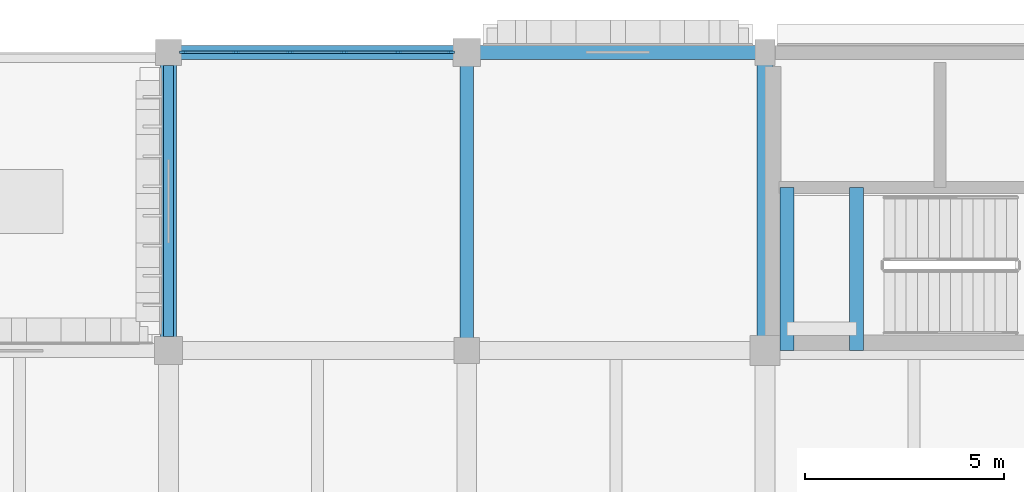
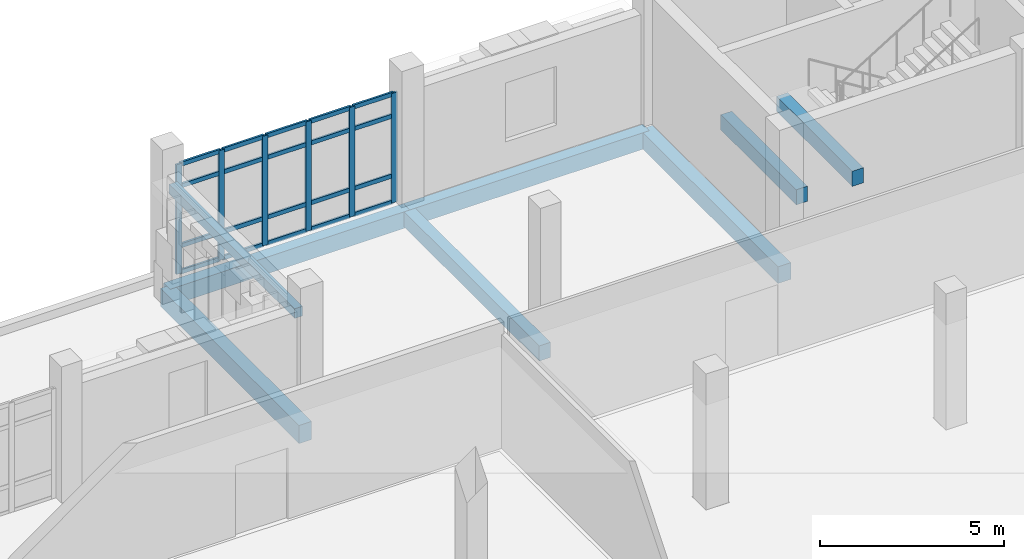
# One storey, part 50 of 128: 26 members, 8 beams, 1 element without a shape of its own.
"""IFC4 building model written with IfcOpenShell, lengths in metres."""

from ifc_helpers import new_model, si_unit, direction, frame, origin, origin_2d, place, context, subcontext, project, spatial, rectangle, extrude, material, layer, layer_set, material_profile, profile_set, type_object, element, aggregate, save


model = new_model("IFC4")

# Units and contexts
model_context = context("Model", 3, precision=1e-05, world=origin(), true_north=direction((0.0, 1.0)))
body_context = subcontext(model_context, "Body", "Model", "MODEL_VIEW")
ifc_project = project(units=[si_unit("LENGTHUNIT", "METRE"), si_unit("AREAUNIT", "SQUARE_METRE"), si_unit("VOLUMEUNIT", "CUBIC_METRE"), si_unit("PLANEANGLEUNIT", "RADIAN"), si_unit("MASSUNIT", "GRAM", prefix="KILO")], contexts=[model_context])

# Site, building, storey
site_placement = place(None, origin())
site = spatial("IfcSite", under=ifc_project, at=site_placement, CompositionType="ELEMENT")
building_placement = place(site_placement, origin())
building = spatial("IfcBuilding", under=site, at=building_placement, Name="Dalvernix Boulevard General Hospital", CompositionType="ELEMENT")
storey_placement = place(building_placement, frame((0.0, 0.0, 4.800048828125)))
storey = spatial("IfcBuildingStorey", under=building, at=storey_placement, Name="L01", CompositionType="ELEMENT", Elevation=4.800048828125)

# Beams
ifc_material_1 = material(Name="Concrete C35/45", Category="concrete")
ifc_material_profile_1 = material_profile(ifc_material_1, rectangle(XDim=0.39990234375, YDim=0.550048828125, at=origin_2d()), Name="RCB 400x550")
ifc_profile_set_1 = profile_set([ifc_material_profile_1], Name="Concrete C35/45")
beam_type_1 = type_object("IfcBeamType", Name="BM-B-06-I", PredefinedType="BEAM", material=ifc_profile_set_1)
beam_1_placement = place(storey_placement, frame((60.0, 109.5, -0.574951171875), z_axis=(0.0, 1.0, 0.0), x_axis=(-1.0, 0.0, 0.0)))
element("IfcBeam", 1, at=beam_1_placement, inside=storey, type_object=beam_type_1, Name="L01 N-S girder 9:Q-R", PredefinedType="BEAM", context=body_context, shape_type="SweptSolid", body=[
    extrude(rectangle(XDim=0.39990234375, YDim=0.550048828125, at=origin_2d()), origin(), (0.0, 0.0, 1.0), 7.5),
])
ifc_material_profile_2 = material_profile(ifc_material_1, rectangle(XDim=0.35009765625, YDim=0.5, at=origin_2d()), Name="RCB 350x500")
ifc_profile_set_2 = profile_set([ifc_material_profile_2], Name="Concrete C35/45")
beam_type_2 = type_object("IfcBeamType", Name="BM-B-08", PredefinedType="BEAM", material=ifc_profile_set_2)
for number, where, z_axis, x_axis, name in (
    (2, (60.550048828125, 109.5, 1.800048828125), (0.0, 1.0, 0.0), (-1.0, 0.0, 0.0), "L01 C3 stair half-landing beam 1"),
    (3, (62.300048828125, 109.5, 1.800048828125), (0.0, 1.0, 0.0), (-1.0, 0.0, 0.0), "L01 C3 stair half-landing beam 2"),
):
    element("IfcBeam", number, at=place(storey_placement, frame(where, z_axis=z_axis, x_axis=x_axis)), inside=storey, type_object=beam_type_2, Name=name, PredefinedType="BEAM", context=body_context, shape_type="SweptSolid", body=[
        extrude(rectangle(XDim=0.35009765625, YDim=0.5, at=origin_2d()), origin(), (0.0, 0.0, 1.0), 4.10009765625),
    ])
ifc_material_profile_3 = material_profile(ifc_material_1, rectangle(XDim=0.35009765625, YDim=0.5, at=origin_2d()), Name="RCB 350x500")
ifc_profile_set_3 = profile_set([ifc_material_profile_3], Name="Concrete C35/45")
beam_type_3 = type_object("IfcBeamType", Name="BM-B-08-I", PredefinedType="BEAM", material=ifc_profile_set_3)
beam_2_placement = place(storey_placement, frame((52.5, 109.5, -0.550048828125), z_axis=(0.0, 1.0, 0.0), x_axis=(-1.0, 0.0, 0.0)))
element("IfcBeam", 4, at=beam_2_placement, inside=storey, type_object=beam_type_3, Name="L01 N-S girder 8:Q-R", PredefinedType="BEAM", context=body_context, shape_type="SweptSolid", body=[
    extrude(rectangle(XDim=0.35009765625, YDim=0.5, at=origin_2d()), origin(), (0.0, 0.0, 1.0), 7.5),
])
ifc_material_2 = material(Name="Precast concrete C40/50", Category="concrete")
ifc_material_profile_4 = material_profile(ifc_material_2, rectangle(XDim=0.25, YDim=0.320068359375, at=origin_2d()), Name="RCL 250x320")
ifc_profile_set_4 = profile_set([ifc_material_profile_4], Name="Precast concrete C40/50")
beam_type_4 = type_object("IfcBeamType", Name="BM-LB-01", PredefinedType="LINTEL", material=ifc_profile_set_4)
beam_3_placement = place(storey_placement, frame((45.0, 109.860107421875, 3.159912109375), z_axis=(0.0, 1.0, 0.0), x_axis=(-1.0, 0.0, 0.0)))
element("IfcBeam", 5, at=beam_3_placement, inside=storey, type_object=beam_type_4, Name="L01 precast window lintel W 6-14", PredefinedType="LINTEL", context=body_context, shape_type="SweptSolid", body=[
    extrude(rectangle(XDim=0.25, YDim=0.320068359375, at=origin_2d()), origin(), (0.0, 0.0, 1.0), 6.804931640625),
])
ifc_material_profile_5 = material_profile(ifc_material_1, rectangle(XDim=0.35009765625, YDim=0.550048828125, at=origin_2d()), Name="RCB 350x550")
ifc_profile_set_5 = profile_set([ifc_material_profile_5], Name="Concrete C35/45")
beam_type_5 = type_object("IfcBeamType", Name="BM-SB-01-E", PredefinedType="SPANDREL", material=ifc_profile_set_5)
for number, where, z_axis, x_axis, name in (
    (6, (45.0, 117.0, -0.574951171875), (1.0, 0.0, 0.0), (0.0, 1.0, 0.0), "L01 E-W girder R:7-8"),
    (7, (52.5, 117.0, -0.574951171875), (1.0, 0.0, 0.0), (0.0, 1.0, 0.0), "L01 E-W girder R:8-9"),
):
    element("IfcBeam", number, at=place(storey_placement, frame(where, z_axis=z_axis, x_axis=x_axis)), inside=storey, type_object=beam_type_5, Name=name, PredefinedType="SPANDREL", context=body_context, shape_type="SweptSolid", body=[
        extrude(rectangle(XDim=0.35009765625, YDim=0.550048828125, at=origin_2d()), origin(), (0.0, 0.0, 1.0), 7.5),
    ])
ifc_material_profile_6 = material_profile(ifc_material_1, rectangle(XDim=0.39990234375, YDim=0.60009765625, at=origin_2d()), Name="RCB 400x600")
ifc_profile_set_6 = profile_set([ifc_material_profile_6], Name="Concrete C35/45")
beam_type_6 = type_object("IfcBeamType", Name="BM-SB-02-E", PredefinedType="SPANDREL", material=ifc_profile_set_6)
beam_4_placement = place(storey_placement, frame((45.0, 109.5, -0.60009765625), z_axis=(0.0, 1.0, 0.0), x_axis=(-1.0, 0.0, 0.0)))
element("IfcBeam", 8, at=beam_4_placement, inside=storey, type_object=beam_type_6, Name="L01 N-S girder 7:Q-R", PredefinedType="SPANDREL", context=body_context, shape_type="SweptSolid", body=[
    extrude(rectangle(XDim=0.39990234375, YDim=0.60009765625, at=origin_2d()), origin(), (0.0, 0.0, 1.0), 7.5),
])

# Curtain wall, members
ifc_material_3 = material(Name="Thermally broken aluminium and solar-control glass curtain wall", Category="aluminium")
ifc_layer = layer(ifc_material_3, 0.179931640625)
ifc_layer_set = layer_set([ifc_layer], Name="Thermally broken aluminium and solar-control glass curtain wall (CW-CW-B-68x36)")
curtain_wall_type = type_object("IfcCurtainWallType", Name="CW-CW-B-68x36", PredefinedType="USERDEFINED", material=ifc_layer_set)
curtain_wall_placement = place(storey_placement, origin())
curtain_wall = element("IfcCurtainWall", 9, at=curtain_wall_placement, inside=storey, type_object=curtain_wall_type, Name="L01 curtain wall CW-B-68x36 6-15", ObjectType="GLAZED FACADE", PredefinedType="USERDEFINED")
ifc_material_4 = material(Name="Aluminium EN AW-6060", Category="aluminium")
ifc_material_profile_7 = material_profile(ifc_material_4, rectangle(XDim=0.06494140625, YDim=0.179931640625, at=origin_2d()), Name="ALU MULL 65x180")
ifc_profile_set_7 = profile_set([ifc_material_profile_7], Name="Aluminium EN AW-6060")
member_type_1 = type_object("IfcMemberType", Name="MEM-CW-M2", PredefinedType="MULLION", material=ifc_profile_set_7)
member_1_placement = place(storey_placement, frame((45.367431640625, 117.0, 0.0), z_axis=(0.0, 0.0, 1.0), x_axis=(0.0, 1.0, 0.0)))
member_1 = element("IfcMember", 10, at=member_1_placement, type_object=member_type_1, Name="CW-B-68x36 mullion 1", PredefinedType="MULLION", context=body_context, shape_type="SweptSolid", body=[
    extrude(rectangle(XDim=0.06494140625, YDim=0.179931640625, at=origin_2d()), origin(), (0.0, 0.0, 1.0), 3.6298828125),
])
member_2_placement = place(storey_placement, frame((46.696044921875, 117.0, 0.0), z_axis=(0.0, 0.0, 1.0), x_axis=(0.0, 1.0, 0.0)))
member_2 = element("IfcMember", 11, at=member_2_placement, type_object=member_type_1, Name="CW-B-68x36 mullion 2", PredefinedType="MULLION", context=body_context, shape_type="SweptSolid", body=[
    extrude(rectangle(XDim=0.06494140625, YDim=0.179931640625, at=origin_2d()), origin(), (0.0, 0.0, 1.0), 3.6298828125),
])
member_3_placement = place(storey_placement, frame((48.056884765625, 117.0, 0.0), z_axis=(0.0, 0.0, 1.0), x_axis=(0.0, 1.0, 0.0)))
member_3 = element("IfcMember", 12, at=member_3_placement, type_object=member_type_1, Name="CW-B-68x36 mullion 3", PredefinedType="MULLION", context=body_context, shape_type="SweptSolid", body=[
    extrude(rectangle(XDim=0.06494140625, YDim=0.179931640625, at=origin_2d()), origin(), (0.0, 0.0, 1.0), 3.6298828125),
])
member_4_placement = place(storey_placement, frame((49.41796875, 117.0, 0.0), z_axis=(0.0, 0.0, 1.0), x_axis=(0.0, 1.0, 0.0)))
member_4 = element("IfcMember", 13, at=member_4_placement, type_object=member_type_1, Name="CW-B-68x36 mullion 4", PredefinedType="MULLION", context=body_context, shape_type="SweptSolid", body=[
    extrude(rectangle(XDim=0.06494140625, YDim=0.179931640625, at=origin_2d()), origin(), (0.0, 0.0, 1.0), 3.6298828125),
])
member_5_placement = place(storey_placement, frame((50.779052734375, 117.0, 0.0), z_axis=(0.0, 0.0, 1.0), x_axis=(0.0, 1.0, 0.0)))
member_5 = element("IfcMember", 14, at=member_5_placement, type_object=member_type_1, Name="CW-B-68x36 mullion 5", PredefinedType="MULLION", context=body_context, shape_type="SweptSolid", body=[
    extrude(rectangle(XDim=0.06494140625, YDim=0.179931640625, at=origin_2d()), origin(), (0.0, 0.0, 1.0), 3.6298828125),
])
member_6_placement = place(storey_placement, frame((52.107421875, 117.0, 0.0), z_axis=(0.0, 0.0, 1.0), x_axis=(0.0, 1.0, 0.0)))
member_6 = element("IfcMember", 15, at=member_6_placement, type_object=member_type_1, Name="CW-B-68x36 mullion 6", PredefinedType="MULLION", context=body_context, shape_type="SweptSolid", body=[
    extrude(rectangle(XDim=0.06494140625, YDim=0.179931640625, at=origin_2d()), origin(), (0.0, 0.0, 1.0), 3.6298828125),
])
ifc_material_profile_8 = material_profile(ifc_material_4, rectangle(XDim=0.06494140625, YDim=0.139892578125, at=origin_2d()), Name="ALU TRAN 65x140")
ifc_profile_set_8 = profile_set([ifc_material_profile_8], Name="Aluminium EN AW-6060")
member_type_2 = type_object("IfcMemberType", Name="MEM-CW-T2", PredefinedType="USERDEFINED", material=ifc_profile_set_8)
member_7_placement = place(storey_placement, frame((45.39990234375, 117.0, 0.032470703125), z_axis=(1.0, 0.0, 0.0), x_axis=(0.0, 1.0, 0.0)))
member_7 = element("IfcMember", 16, at=member_7_placement, type_object=member_type_2, Name="CW-B-68x36 transom 1.1", ObjectType="TRANSOM", PredefinedType="USERDEFINED", context=body_context, shape_type="SweptSolid", body=[
    extrude(rectangle(XDim=0.06494140625, YDim=0.139892578125, at=origin_2d()), origin(), (0.0, 0.0, 1.0), 1.263671875),
])
member_8_placement = place(storey_placement, frame((45.39990234375, 117.0, 0.89990234375), z_axis=(1.0, 0.0, 0.0), x_axis=(0.0, 1.0, 0.0)))
member_8 = element("IfcMember", 17, at=member_8_placement, type_object=member_type_2, Name="CW-B-68x36 transom 1.2", ObjectType="TRANSOM", PredefinedType="USERDEFINED", context=body_context, shape_type="SweptSolid", body=[
    extrude(rectangle(XDim=0.06494140625, YDim=0.139892578125, at=origin_2d()), origin(), (0.0, 0.0, 1.0), 1.263671875),
])
member_9_placement = place(storey_placement, frame((45.39990234375, 117.0, 2.8798828125), z_axis=(1.0, 0.0, 0.0), x_axis=(0.0, 1.0, 0.0)))
member_9 = element("IfcMember", 18, at=member_9_placement, type_object=member_type_2, Name="CW-B-68x36 transom 1.3", ObjectType="TRANSOM", PredefinedType="USERDEFINED", context=body_context, shape_type="SweptSolid", body=[
    extrude(rectangle(XDim=0.06494140625, YDim=0.139892578125, at=origin_2d()), origin(), (0.0, 0.0, 1.0), 1.263671875),
])
member_10_placement = place(storey_placement, frame((45.39990234375, 117.0, 3.597412109375), z_axis=(1.0, 0.0, 0.0), x_axis=(0.0, 1.0, 0.0)))
member_10 = element("IfcMember", 19, at=member_10_placement, type_object=member_type_2, Name="CW-B-68x36 transom 1.4", ObjectType="TRANSOM", PredefinedType="USERDEFINED", context=body_context, shape_type="SweptSolid", body=[
    extrude(rectangle(XDim=0.06494140625, YDim=0.139892578125, at=origin_2d()), origin(), (0.0, 0.0, 1.0), 1.263671875),
])
member_11_placement = place(storey_placement, frame((46.728515625, 117.0, 0.032470703125), z_axis=(1.0, 0.0, 0.0), x_axis=(0.0, 1.0, 0.0)))
member_11 = element("IfcMember", 20, at=member_11_placement, type_object=member_type_2, Name="CW-B-68x36 transom 2.1", ObjectType="TRANSOM", PredefinedType="USERDEFINED", context=body_context, shape_type="SweptSolid", body=[
    extrude(rectangle(XDim=0.06494140625, YDim=0.139892578125, at=origin_2d()), origin(), (0.0, 0.0, 1.0), 1.2958984375),
])
member_12_placement = place(storey_placement, frame((46.728515625, 117.0, 0.89990234375), z_axis=(1.0, 0.0, 0.0), x_axis=(0.0, 1.0, 0.0)))
member_12 = element("IfcMember", 21, at=member_12_placement, type_object=member_type_2, Name="CW-B-68x36 transom 2.2", ObjectType="TRANSOM", PredefinedType="USERDEFINED", context=body_context, shape_type="SweptSolid", body=[
    extrude(rectangle(XDim=0.06494140625, YDim=0.139892578125, at=origin_2d()), origin(), (0.0, 0.0, 1.0), 1.2958984375),
])
member_13_placement = place(storey_placement, frame((46.728515625, 117.0, 2.8798828125), z_axis=(1.0, 0.0, 0.0), x_axis=(0.0, 1.0, 0.0)))
member_13 = element("IfcMember", 22, at=member_13_placement, type_object=member_type_2, Name="CW-B-68x36 transom 2.3", ObjectType="TRANSOM", PredefinedType="USERDEFINED", context=body_context, shape_type="SweptSolid", body=[
    extrude(rectangle(XDim=0.06494140625, YDim=0.139892578125, at=origin_2d()), origin(), (0.0, 0.0, 1.0), 1.2958984375),
])
member_14_placement = place(storey_placement, frame((46.728515625, 117.0, 3.597412109375), z_axis=(1.0, 0.0, 0.0), x_axis=(0.0, 1.0, 0.0)))
member_14 = element("IfcMember", 23, at=member_14_placement, type_object=member_type_2, Name="CW-B-68x36 transom 2.4", ObjectType="TRANSOM", PredefinedType="USERDEFINED", context=body_context, shape_type="SweptSolid", body=[
    extrude(rectangle(XDim=0.06494140625, YDim=0.139892578125, at=origin_2d()), origin(), (0.0, 0.0, 1.0), 1.2958984375),
])
member_15_placement = place(storey_placement, frame((48.089599609375, 117.0, 0.032470703125), z_axis=(1.0, 0.0, 0.0), x_axis=(0.0, 1.0, 0.0)))
member_15 = element("IfcMember", 24, at=member_15_placement, type_object=member_type_2, Name="CW-B-68x36 transom 3.1", ObjectType="TRANSOM", PredefinedType="USERDEFINED", context=body_context, shape_type="SweptSolid", body=[
    extrude(rectangle(XDim=0.06494140625, YDim=0.139892578125, at=origin_2d()), origin(), (0.0, 0.0, 1.0), 1.2958984375),
])
member_16_placement = place(storey_placement, frame((48.089599609375, 117.0, 0.89990234375), z_axis=(1.0, 0.0, 0.0), x_axis=(0.0, 1.0, 0.0)))
member_16 = element("IfcMember", 25, at=member_16_placement, type_object=member_type_2, Name="CW-B-68x36 transom 3.2", ObjectType="TRANSOM", PredefinedType="USERDEFINED", context=body_context, shape_type="SweptSolid", body=[
    extrude(rectangle(XDim=0.06494140625, YDim=0.139892578125, at=origin_2d()), origin(), (0.0, 0.0, 1.0), 1.2958984375),
])
member_17_placement = place(storey_placement, frame((48.089599609375, 117.0, 2.8798828125), z_axis=(1.0, 0.0, 0.0), x_axis=(0.0, 1.0, 0.0)))
member_17 = element("IfcMember", 26, at=member_17_placement, type_object=member_type_2, Name="CW-B-68x36 transom 3.3", ObjectType="TRANSOM", PredefinedType="USERDEFINED", context=body_context, shape_type="SweptSolid", body=[
    extrude(rectangle(XDim=0.06494140625, YDim=0.139892578125, at=origin_2d()), origin(), (0.0, 0.0, 1.0), 1.2958984375),
])
member_18_placement = place(storey_placement, frame((48.089599609375, 117.0, 3.597412109375), z_axis=(1.0, 0.0, 0.0), x_axis=(0.0, 1.0, 0.0)))
member_18 = element("IfcMember", 27, at=member_18_placement, type_object=member_type_2, Name="CW-B-68x36 transom 3.4", ObjectType="TRANSOM", PredefinedType="USERDEFINED", context=body_context, shape_type="SweptSolid", body=[
    extrude(rectangle(XDim=0.06494140625, YDim=0.139892578125, at=origin_2d()), origin(), (0.0, 0.0, 1.0), 1.2958984375),
])
member_19_placement = place(storey_placement, frame((49.450439453125, 117.0, 0.032470703125), z_axis=(1.0, 0.0, 0.0), x_axis=(0.0, 1.0, 0.0)))
member_19 = element("IfcMember", 28, at=member_19_placement, type_object=member_type_2, Name="CW-B-68x36 transom 4.1", ObjectType="TRANSOM", PredefinedType="USERDEFINED", context=body_context, shape_type="SweptSolid", body=[
    extrude(rectangle(XDim=0.06494140625, YDim=0.139892578125, at=origin_2d()), origin(), (0.0, 0.0, 1.0), 1.296142578125),
])
member_20_placement = place(storey_placement, frame((49.450439453125, 117.0, 0.89990234375), z_axis=(1.0, 0.0, 0.0), x_axis=(0.0, 1.0, 0.0)))
member_20 = element("IfcMember", 29, at=member_20_placement, type_object=member_type_2, Name="CW-B-68x36 transom 4.2", ObjectType="TRANSOM", PredefinedType="USERDEFINED", context=body_context, shape_type="SweptSolid", body=[
    extrude(rectangle(XDim=0.06494140625, YDim=0.139892578125, at=origin_2d()), origin(), (0.0, 0.0, 1.0), 1.296142578125),
])
member_21_placement = place(storey_placement, frame((49.450439453125, 117.0, 2.8798828125), z_axis=(1.0, 0.0, 0.0), x_axis=(0.0, 1.0, 0.0)))
member_21 = element("IfcMember", 30, at=member_21_placement, type_object=member_type_2, Name="CW-B-68x36 transom 4.3", ObjectType="TRANSOM", PredefinedType="USERDEFINED", context=body_context, shape_type="SweptSolid", body=[
    extrude(rectangle(XDim=0.06494140625, YDim=0.139892578125, at=origin_2d()), origin(), (0.0, 0.0, 1.0), 1.296142578125),
])
member_22_placement = place(storey_placement, frame((49.450439453125, 117.0, 3.597412109375), z_axis=(1.0, 0.0, 0.0), x_axis=(0.0, 1.0, 0.0)))
member_22 = element("IfcMember", 31, at=member_22_placement, type_object=member_type_2, Name="CW-B-68x36 transom 4.4", ObjectType="TRANSOM", PredefinedType="USERDEFINED", context=body_context, shape_type="SweptSolid", body=[
    extrude(rectangle(XDim=0.06494140625, YDim=0.139892578125, at=origin_2d()), origin(), (0.0, 0.0, 1.0), 1.296142578125),
])
member_23_placement = place(storey_placement, frame((50.8115234375, 117.0, 0.032470703125), z_axis=(1.0, 0.0, 0.0), x_axis=(0.0, 1.0, 0.0)))
member_23 = element("IfcMember", 32, at=member_23_placement, type_object=member_type_2, Name="CW-B-68x36 transom 5.1", ObjectType="TRANSOM", PredefinedType="USERDEFINED", context=body_context, shape_type="SweptSolid", body=[
    extrude(rectangle(XDim=0.06494140625, YDim=0.139892578125, at=origin_2d()), origin(), (0.0, 0.0, 1.0), 1.263427734375),
])
member_24_placement = place(storey_placement, frame((50.8115234375, 117.0, 0.89990234375), z_axis=(1.0, 0.0, 0.0), x_axis=(0.0, 1.0, 0.0)))
member_24 = element("IfcMember", 33, at=member_24_placement, type_object=member_type_2, Name="CW-B-68x36 transom 5.2", ObjectType="TRANSOM", PredefinedType="USERDEFINED", context=body_context, shape_type="SweptSolid", body=[
    extrude(rectangle(XDim=0.06494140625, YDim=0.139892578125, at=origin_2d()), origin(), (0.0, 0.0, 1.0), 1.263427734375),
])
member_25_placement = place(storey_placement, frame((50.8115234375, 117.0, 2.8798828125), z_axis=(1.0, 0.0, 0.0), x_axis=(0.0, 1.0, 0.0)))
member_25 = element("IfcMember", 34, at=member_25_placement, type_object=member_type_2, Name="CW-B-68x36 transom 5.3", ObjectType="TRANSOM", PredefinedType="USERDEFINED", context=body_context, shape_type="SweptSolid", body=[
    extrude(rectangle(XDim=0.06494140625, YDim=0.139892578125, at=origin_2d()), origin(), (0.0, 0.0, 1.0), 1.263427734375),
])
member_26_placement = place(storey_placement, frame((50.8115234375, 117.0, 3.597412109375), z_axis=(1.0, 0.0, 0.0), x_axis=(0.0, 1.0, 0.0)))
member_26 = element("IfcMember", 35, at=member_26_placement, type_object=member_type_2, Name="CW-B-68x36 transom 5.4", ObjectType="TRANSOM", PredefinedType="USERDEFINED", context=body_context, shape_type="SweptSolid", body=[
    extrude(rectangle(XDim=0.06494140625, YDim=0.139892578125, at=origin_2d()), origin(), (0.0, 0.0, 1.0), 1.263427734375),
])
aggregate(curtain_wall, [member_1, member_2, member_3, member_4, member_5, member_6, member_7, member_8, member_9, member_10, member_11, member_12, member_13, member_14, member_15, member_16, member_17, member_18, member_19, member_20, member_21, member_22, member_23, member_24, member_25, member_26])

save(model, "model.ifc")
